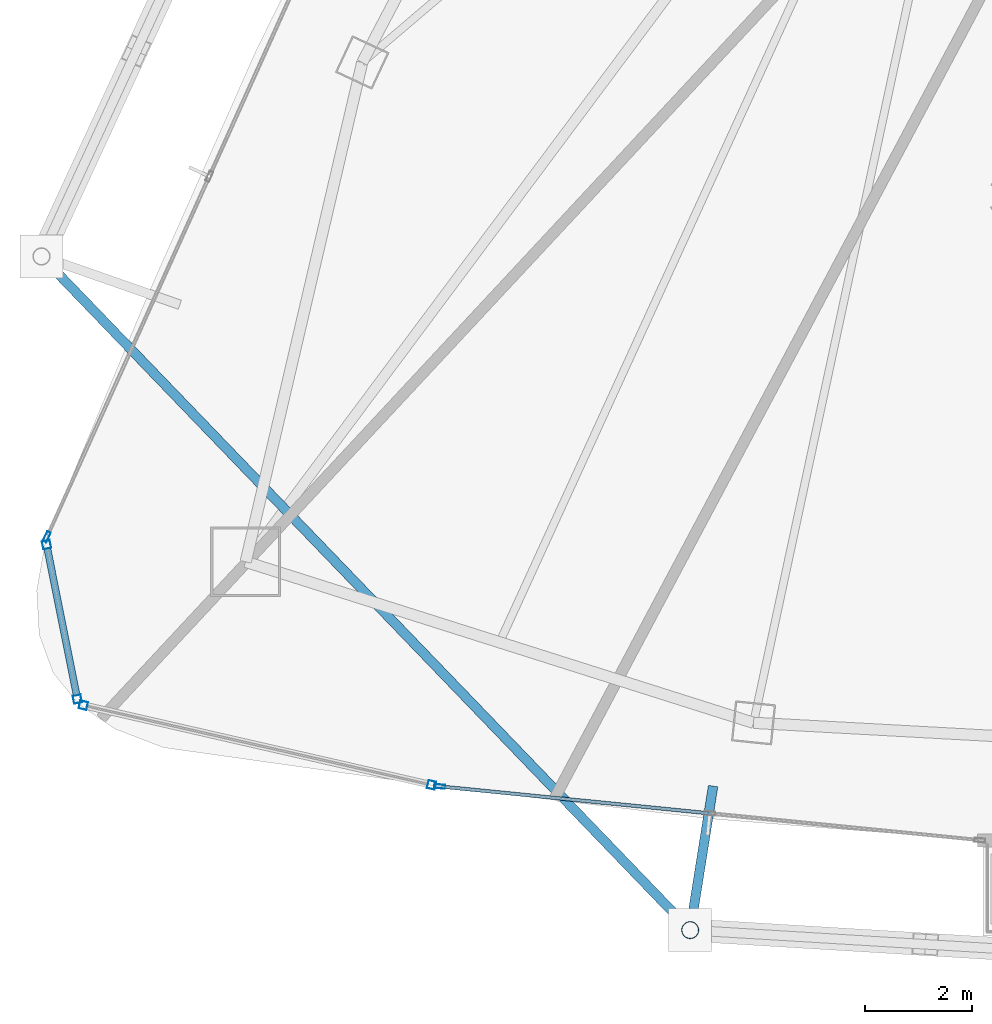
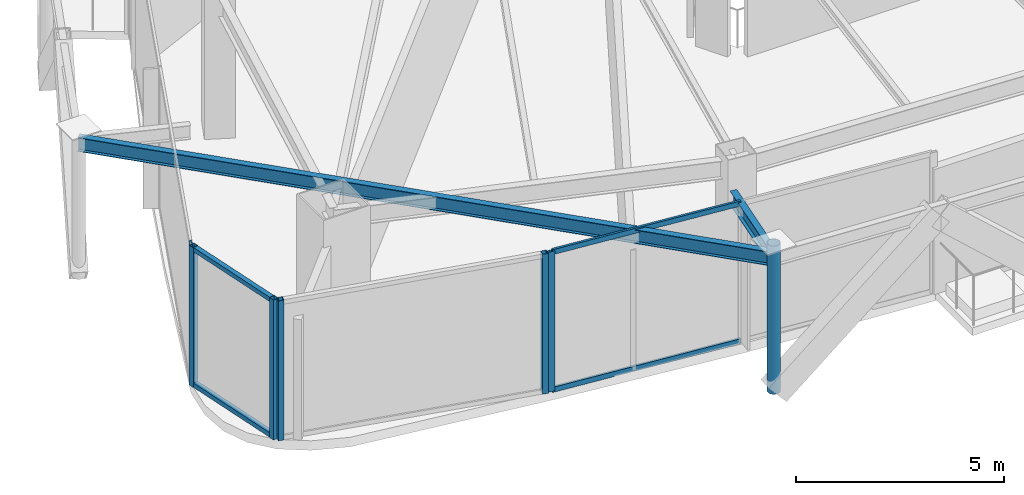
# One storey, part 2 of 25: 11 members, 2 beams, 4 elements without a shape of their own.
"""IFC4 building model written with IfcOpenShell, lengths in metres."""

from ifc_helpers import new_model, si_unit, direction, frame, origin, origin_2d, place, context, subcontext, project, spatial, hollow_rectangle, hollow_circle, i_section, extrude, material, layer, layer_set, material_profile, profile_set, type_object, element, aggregate, save


model = new_model("IFC4")

# Units and contexts
model_context = context("Model", 3, precision=1e-05, world=origin(), true_north=direction((0.0, 1.0)))
body_context = subcontext(model_context, "Body", "Model", "MODEL_VIEW")
ifc_project = project(units=[si_unit("LENGTHUNIT", "METRE"), si_unit("AREAUNIT", "SQUARE_METRE"), si_unit("VOLUMEUNIT", "CUBIC_METRE"), si_unit("PLANEANGLEUNIT", "RADIAN"), si_unit("MASSUNIT", "GRAM", prefix="KILO")], contexts=[model_context])

# Site, building, storey
site_placement = place(None, origin())
site = spatial("IfcSite", under=ifc_project, at=site_placement, CompositionType="ELEMENT")
building_placement = place(site_placement, origin())
building = spatial("IfcBuilding", under=site, at=building_placement, Name="Orvanel Arch Residences", CompositionType="ELEMENT")
storey_placement = place(building_placement, frame((0.0, 0.0, 236.0)))
storey = spatial("IfcBuildingStorey", under=building, at=storey_placement, Name="L67", CompositionType="ELEMENT", Elevation=236.0)

# Curtain wall, members
ifc_material_1 = material(Name="Bronze-anodised aluminium AA6063-T6", Category="aluminium")
ifc_layer_1 = layer(ifc_material_1, 0.18994140625)
ifc_layer_set_1 = layer_set([ifc_layer_1], Name="Bronze-anodised aluminium AA6063-T6")
curtain_wall_type_1 = type_object("IfcCurtainWallType", Name="CW5-CRN-SYS", PredefinedType="NOTDEFINED", material=ifc_layer_set_1)
curtain_wall_1_placement = place(storey_placement, origin())
curtain_wall_1 = element("IfcCurtainWall", 1, at=curtain_wall_1_placement, inside=storey, type_object=curtain_wall_type_1, Name="L67 CW5-CRN-SYS Unitised Curtain Wall", PredefinedType="NOTDEFINED")
ifc_material_profile_1 = material_profile(ifc_material_1, hollow_rectangle(XDim=0.14990234375, YDim=0.14990234375, WallThickness=0.0048828125, at=origin_2d()), Name="ALU150x150x5")
ifc_profile_set_1 = profile_set([ifc_material_profile_1], Name="Bronze-anodised aluminium AA6063-T6")
member_type_1 = type_object("IfcMemberType", Name="MUL-150x150", PredefinedType="MULLION", material=ifc_profile_set_1)
member_1_placement = place(storey_placement, frame((10.49462890625, 10.66943359375, 0.0), z_axis=(0.0, 0.0, 1.0), x_axis=(0.98065551482, 0.195741567514, 0.0)))
member_1 = element("IfcMember", 2, at=member_1_placement, type_object=member_type_1, Name="CW-S5 mullion 1", PredefinedType="MULLION", context=body_context, shape_type="SweptSolid", body=[
    extrude(hollow_rectangle(XDim=0.14990234375, YDim=0.14990234375, WallThickness=0.0048828125, at=origin_2d()), origin(), (0.0, 0.0, 1.0), 4.110107421875),
])
member_2_placement = place(storey_placement, frame((11.068359375, 7.795654296875, 0.0), z_axis=(0.0, 0.0, 1.0), x_axis=(0.98065551482, 0.195741567514, 0.0)))
member_2 = element("IfcMember", 3, at=member_2_placement, type_object=member_type_1, Name="CW-S5 mullion 2", PredefinedType="MULLION", context=body_context, shape_type="SweptSolid", body=[
    extrude(hollow_rectangle(XDim=0.14990234375, YDim=0.14990234375, WallThickness=0.0048828125, at=origin_2d()), origin(), (0.0, 0.0, 1.0), 4.110107421875),
])

curtain_wall_2_placement = place(storey_placement, origin())
curtain_wall_2 = element("IfcCurtainWall", 4, at=curtain_wall_2_placement, inside=storey, type_object=curtain_wall_type_1, Name="L67 CW5-CRN-SYS Unitised Curtain Wall", PredefinedType="NOTDEFINED")
member_3_placement = place(storey_placement, frame((11.17919921875, 7.68115234375, 0.0), z_axis=(0.0, 0.0, 1.0), x_axis=(0.223172314797, 0.97477900978, 0.0)))
member_3 = element("IfcMember", 5, at=member_3_placement, type_object=member_type_1, Name="CW-S5 mullion 1", PredefinedType="MULLION", context=body_context, shape_type="SweptSolid", body=[
    extrude(hollow_rectangle(XDim=0.14990234375, YDim=0.14990234375, WallThickness=0.0048828125, at=origin_2d()), origin(), (0.0, 0.0, 1.0), 4.110107421875),
])
member_4_placement = place(storey_placement, frame((17.658935546875, 6.19775390625, 0.0), z_axis=(0.0, 0.0, 1.0), x_axis=(0.223172314797, 0.97477900978, 0.0)))
member_4 = element("IfcMember", 6, at=member_4_placement, type_object=member_type_1, Name="CW-S5 mullion 2", PredefinedType="MULLION", context=body_context, shape_type="SweptSolid", body=[
    extrude(hollow_rectangle(XDim=0.14990234375, YDim=0.14990234375, WallThickness=0.0048828125, at=origin_2d()), origin(), (0.0, 0.0, 1.0), 4.110107421875),
])
aggregate(curtain_wall_2, [member_3, member_4])

# Curtain wall, member
ifc_layer_2 = layer(ifc_material_1, 0.195068359375)
ifc_layer_set_2 = layer_set([ifc_layer_2], Name="Bronze-anodised aluminium AA6063-T6")
curtain_wall_type_2 = type_object("IfcCurtainWallType", Name="CW6-COM-SYS", PredefinedType="NOTDEFINED", material=ifc_layer_set_2)
curtain_wall_3_placement = place(storey_placement, origin())
curtain_wall_3 = element("IfcCurtainWall", 7, at=curtain_wall_3_placement, inside=storey, type_object=curtain_wall_type_2, Name="L67 CW6-COM-SYS Unitised Curtain Wall", PredefinedType="NOTDEFINED")
ifc_material_profile_2 = material_profile(ifc_material_1, hollow_rectangle(XDim=0.074951171875, YDim=0.199951171875, WallThickness=0.0048828125, at=origin_2d()), Name="ALU200x75x5")
ifc_profile_set_2 = profile_set([ifc_material_profile_2], Name="Bronze-anodised aluminium AA6063-T6")
member_type_2 = type_object("IfcMemberType", Name="MUL-200x75", PredefinedType="MULLION", material=ifc_profile_set_2)
member_5_placement = place(storey_placement, frame((10.49951171875, 10.815185546875, 0.0), z_axis=(0.0, 0.0, 1.0), x_axis=(0.911688579875, -0.410881897052, 0.0)))
member_5 = element("IfcMember", 8, at=member_5_placement, type_object=member_type_2, Name="CW-S6 mullion 3", PredefinedType="MULLION", context=body_context, shape_type="SweptSolid", body=[
    extrude(hollow_rectangle(XDim=0.074951171875, YDim=0.199951171875, WallThickness=0.0048828125, at=origin_2d()), origin(), (0.0, 0.0, 1.0), 4.110107421875),
])
aggregate(curtain_wall_3, [member_5])

curtain_wall_4_placement = place(storey_placement, origin())
curtain_wall_4 = element("IfcCurtainWall", 9, at=curtain_wall_4_placement, inside=storey, type_object=curtain_wall_type_2, Name="L67 CW6-COM-SYS Unitised Curtain Wall", PredefinedType="NOTDEFINED")
member_6_placement = place(storey_placement, frame((17.808349609375, 6.17138671875, 0.0), z_axis=(0.0, 0.0, 1.0), x_axis=(0.099153447023, 0.995072155144, 0.0)))
member_6 = element("IfcMember", 10, at=member_6_placement, type_object=member_type_2, Name="CW-S6 mullion 1", PredefinedType="MULLION", context=body_context, shape_type="SweptSolid", body=[
    extrude(hollow_rectangle(XDim=0.074951171875, YDim=0.199951171875, WallThickness=0.0048828125, at=origin_2d()), origin(), (0.0, 0.0, 1.0), 4.110107421875),
])

# Beams
ifc_material_2 = material(Name="Structural steel AS/NZS 3679.1 Grade 300 (300 MPa)", Category="steel")
ifc_material_profile_3 = material_profile(ifc_material_2, i_section(OverallWidth=0.177978515625, OverallDepth=0.406005859375, WebThickness=0.0078125, FlangeThickness=0.0126953125, at=origin_2d()), Name="410UB59.7")
ifc_profile_set_3 = profile_set([ifc_material_profile_3], Name="Structural steel AS/NZS 3679.1 Grade 300 (300 MPa)")
beam_type = type_object("IfcBeamType", Name="OB-410UB-EXT", PredefinedType="SPANDREL", material=ifc_profile_set_3)
beam_1_placement = place(storey_placement, frame((10.39990234375, 16.032958984375, 3.906982421875), z_axis=(0.693624161969, -0.7203370891, 0.0), x_axis=(0.7203370891, 0.693624161969, 0.0)))
element("IfcBeam", 11, at=beam_1_placement, inside=storey, type_object=beam_type, Name="L67 Outer Perimeter Floor Ring Beam 04", PredefinedType="SPANDREL", context=body_context, shape_type="SweptSolid", body=[
    extrude(i_section(OverallWidth=0.177978515625, OverallDepth=0.406005859375, WebThickness=0.0078125, FlangeThickness=0.0126953125, at=origin_2d()), origin(), (0.0, 0.0, 1.0), 17.4013671875),
])
beam_2_placement = place(storey_placement, frame((22.89599609375, 6.177978515625, 3.906982421875), z_axis=(-0.156997384283, -0.987599018493, 0.0), x_axis=(0.987599018493, -0.156997384283, 0.0)))
element("IfcBeam", 12, at=beam_2_placement, inside=storey, type_object=beam_type, Name="L67 Outer Frame Radial Tie Beam 05", PredefinedType="SPANDREL", context=body_context, shape_type="SweptSolid", body=[
    extrude(i_section(OverallWidth=0.177978515625, OverallDepth=0.406005859375, WebThickness=0.0078125, FlangeThickness=0.0126953125, at=origin_2d()), origin(), (0.0, 0.0, 1.0), 2.713623046875),
])

# Member
ifc_material_3 = material(Name="Structural steel AS/NZS 1163 C350L0 (Grade 350)", Category="steel")
ifc_material_profile_4 = material_profile(ifc_material_3, hollow_circle(Radius=0.162109375, WallThickness=0.0126953125, at=origin_2d()), Name="CHS324x12.7")
ifc_profile_set_4 = profile_set([ifc_material_profile_4], Name="Structural steel AS/NZS 1163 C350L0 (Grade 350)")
member_type_3 = type_object("IfcMemberType", Name="ST-324CHS-EXT", PredefinedType="STRUT", material=ifc_profile_set_4)
member_7_placement = place(storey_placement, frame((22.469970703125, 3.498046875, 0.0), z_axis=(0.0, 0.0, 1.0), x_axis=(1.0, 0.0, 0.0)))
element("IfcMember", 13, at=member_7_placement, inside=storey, type_object=member_type_3, Name="L67 Outer Perimeter Frame Post 05", PredefinedType="STRUT", context=body_context, shape_type="SweptSolid", body=[
    extrude(hollow_circle(Radius=0.162109375, WallThickness=0.0126953125, at=origin_2d()), origin(), (0.0, 0.0, 1.0), 4.35009765625),
])

ifc_material_profile_5 = material_profile(ifc_material_1, hollow_rectangle(XDim=0.1298828125, YDim=0.1298828125, WallThickness=0.00439453125, at=origin_2d()), Name="ALU130x130x4.5")
ifc_profile_set_5 = profile_set([ifc_material_profile_5], Name="Bronze-anodised aluminium AA6063-T6")
member_type_4 = type_object("IfcMemberType", Name="TRN-130x130", PredefinedType="USERDEFINED", material=ifc_profile_set_5)
member_8_placement = place(storey_placement, frame((10.50927734375, 10.595947265625, 0.06494140625), z_axis=(0.195795314796, -0.980644785182, 0.0), x_axis=(0.980644785182, 0.195795314796, 0.0)))
member_8 = element("IfcMember", 14, at=member_8_placement, type_object=member_type_4, Name="CW-S5 transom 1.1", ObjectType="TRANSOM", PredefinedType="USERDEFINED", context=body_context, shape_type="SweptSolid", body=[
    extrude(hollow_rectangle(XDim=0.1298828125, YDim=0.1298828125, WallThickness=0.00439453125, at=origin_2d()), origin(), (0.0, 0.0, 1.0), 2.780517578125),
])

member_9_placement = place(storey_placement, frame((10.50927734375, 10.595947265625, 4.044921875), z_axis=(0.195795314796, -0.980644785182, 0.0), x_axis=(0.980644785182, 0.195795314796, 0.0)))
member_9 = element("IfcMember", 15, at=member_9_placement, type_object=member_type_4, Name="CW-S5 transom 1.2", ObjectType="TRANSOM", PredefinedType="USERDEFINED", context=body_context, shape_type="SweptSolid", body=[
    extrude(hollow_rectangle(XDim=0.1298828125, YDim=0.1298828125, WallThickness=0.00439453125, at=origin_2d()), origin(), (0.0, 0.0, 1.0), 2.780517578125),
])

aggregate(curtain_wall_1, [member_1, member_2, member_8, member_9])

ifc_material_profile_6 = material_profile(ifc_material_1, hollow_rectangle(XDim=0.06494140625, YDim=0.14990234375, WallThickness=0.00390625, at=origin_2d()), Name="ALU150x65x4")
ifc_profile_set_6 = profile_set([ifc_material_profile_6], Name="Bronze-anodised aluminium AA6063-T6")
member_type_5 = type_object("IfcMemberType", Name="TRN-150x65", PredefinedType="USERDEFINED", material=ifc_profile_set_6)
member_10_placement = place(storey_placement, frame((17.845703125, 6.16748046875, 0.032470703125), z_axis=(0.995075497093, -0.099119902566, 0.0), x_axis=(0.099119902566, 0.995075497093, 0.0)))
member_10 = element("IfcMember", 16, at=member_10_placement, type_object=member_type_5, Name="CW-S6 transom 1.1", ObjectType="TRANSOM", PredefinedType="USERDEFINED", context=body_context, shape_type="SweptSolid", body=[
    extrude(hollow_rectangle(XDim=0.06494140625, YDim=0.14990234375, WallThickness=0.00390625, at=origin_2d()), origin(), (0.0, 0.0, 1.0), 4.975341796875),
])

member_11_placement = place(storey_placement, frame((17.845703125, 6.16748046875, 4.077392578125), z_axis=(0.995075497093, -0.099119902566, 0.0), x_axis=(0.099119902566, 0.995075497093, 0.0)))
member_11 = element("IfcMember", 17, at=member_11_placement, type_object=member_type_5, Name="CW-S6 transom 1.2", ObjectType="TRANSOM", PredefinedType="USERDEFINED", context=body_context, shape_type="SweptSolid", body=[
    extrude(hollow_rectangle(XDim=0.06494140625, YDim=0.14990234375, WallThickness=0.00390625, at=origin_2d()), origin(), (0.0, 0.0, 1.0), 4.975341796875),
])

aggregate(curtain_wall_4, [member_6, member_10, member_11])

save(model, "model.ifc")
